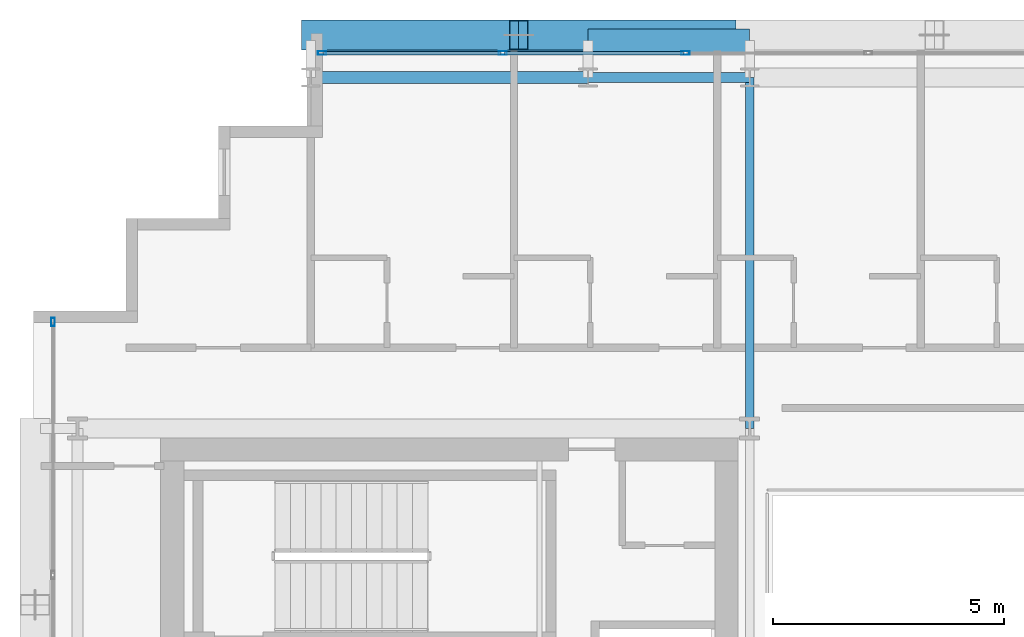
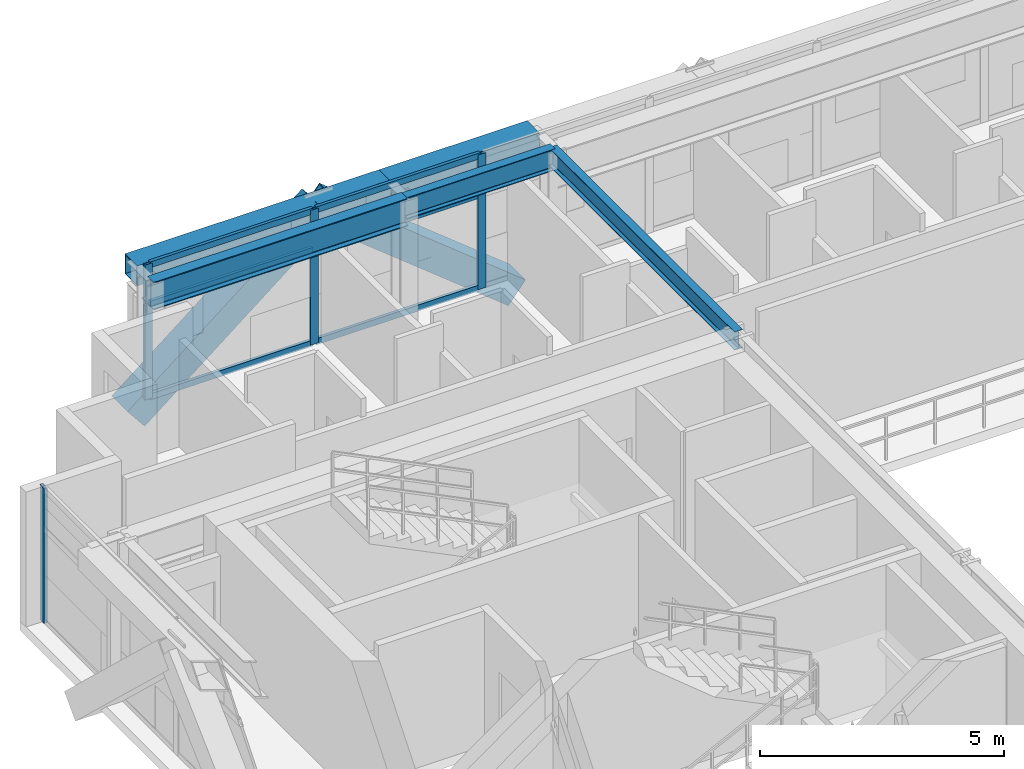
# One storey, part 16 of 32: 12 members, 5 beams, 2 elements without a shape of their own.
"""IFC4 building model written with IfcOpenShell, lengths in metres."""

from ifc_helpers import new_model, si_unit, direction, frame, origin, origin_2d, place, context, subcontext, project, spatial, hollow_rectangle, i_section, extrude, source, transform, mapped, material, layer, layer_set, material_profile, profile_set, type_object, element, aggregate, save


model = new_model("IFC4")

# Units and contexts
model_context = context("Model", 3, precision=1e-05, world=origin(), true_north=direction((0.0, 1.0)))
body_context = subcontext(model_context, "Body", "Model", "MODEL_VIEW")
ifc_project = project(units=[si_unit("LENGTHUNIT", "METRE"), si_unit("AREAUNIT", "SQUARE_METRE"), si_unit("VOLUMEUNIT", "CUBIC_METRE"), si_unit("PLANEANGLEUNIT", "RADIAN"), si_unit("MASSUNIT", "GRAM", prefix="KILO")], contexts=[model_context])

# Site, building, storey
site_placement = place(None, origin())
site = spatial("IfcSite", under=ifc_project, at=site_placement, CompositionType="ELEMENT")
building_placement = place(site_placement, origin())
building = spatial("IfcBuilding", under=site, at=building_placement, Name="Ocotamira Hotel", CompositionType="ELEMENT")
storey_placement = place(building_placement, frame((0.0, 0.0, 166.800048828125)))
storey = spatial("IfcBuildingStorey", under=building, at=storey_placement, Name="L41", CompositionType="ELEMENT", Elevation=166.800048828125)

# Beams
ifc_material_1 = material(Name="Steel ASTM A992 Grade 50", Category="steel")
ifc_material_profile_1 = material_profile(ifc_material_1, i_section(OverallWidth=0.256103515625, OverallDepth=0.693115234375, WebThickness=0.014404296875, FlangeThickness=0.023681640625, FilletRadius=0.01611328125, at=origin_2d()), Name="W27X114")
ifc_profile_set_1 = profile_set([ifc_material_profile_1], Name="Steel ASTM A992 Grade 50")
beam_type_1 = type_object("IfcBeamType", Name="BM-PRIM-W27X114", PredefinedType="BEAM", material=ifc_profile_set_1)
shared_shape_1 = source(origin(), body_context, "Body", "SweptSolid", [
    extrude(i_section(OverallWidth=0.256103515625, OverallDepth=0.693115234375, WebThickness=0.014404296875, FlangeThickness=0.023681640625, FilletRadius=0.01611328125, at=origin_2d()), origin(), (0.0, 0.0, 1.0), 6.0),
])
beam_1_placement = place(storey_placement, frame((14.0, 45.050048828125, 3.0234375), z_axis=(1.0, 0.0, 0.0), x_axis=(0.0, 1.0, 0.0)))
element("IfcBeam", 1, at=beam_1_placement, inside=storey, type_object=beam_type_1, Name="L41 Girder Y45.05 X14-20", PredefinedType="BEAM", context=body_context, shape_type="MappedRepresentation", body=[
    mapped(shared_shape_1, transform((0.0, 0.0, 0.0), scale=1.0)),
])
ifc_material_profile_2 = material_profile(ifc_material_1, i_section(OverallWidth=0.2099609375, OverallDepth=0.537109375, WebThickness=0.010986328125, FlangeThickness=0.017333984375, FilletRadius=0.012939453125, at=origin_2d()), Name="W21X68")
ifc_profile_set_2 = profile_set([ifc_material_profile_2], Name="Steel ASTM A992 Grade 50")
beam_type_2 = type_object("IfcBeamType", Name="BM-SEC-W21X68", PredefinedType="JOIST", material=ifc_profile_set_2)
shared_shape_2 = source(origin(), body_context, "Body", "SweptSolid", [
    extrude(i_section(OverallWidth=0.2099609375, OverallDepth=0.537109375, WebThickness=0.010986328125, FlangeThickness=0.017333984375, FilletRadius=0.012939453125, at=origin_2d()), origin(), (0.0, 0.0, 1.0), 3.5),
])
beam_2_placement = place(storey_placement, frame((20.0, 45.050048828125, 3.1015625), z_axis=(1.0, 0.0, 0.0), x_axis=(0.0, 1.0, 0.0)))
element("IfcBeam", 2, at=beam_2_placement, inside=storey, type_object=beam_type_2, Name="L41 Girder Y45.05 X20-23.5", PredefinedType="JOIST", context=body_context, shape_type="MappedRepresentation", body=[
    mapped(shared_shape_2, transform((0.0, 0.0, 0.0), scale=1.0)),
])
ifc_material_2 = material(Name="Steel ASTM A500 Grade C", Category="steel")
ifc_material_profile_3 = material_profile(ifc_material_2, hollow_rectangle(XDim=0.5, YDim=0.5, WallThickness=0.02001953125, at=origin_2d()), Name="HSS500X500X20")
ifc_profile_set_3 = profile_set([ifc_material_profile_3], Name="Steel ASTM A500 Grade C")
beam_type_3 = type_object("IfcBeamType", Name="BM-SPAN-HSS500", PredefinedType="USERDEFINED", material=ifc_profile_set_3)
shared_shape_3 = source(origin(), body_context, "Body", "SweptSolid", [
    extrude(hollow_rectangle(XDim=0.5, YDim=0.5, WallThickness=0.02001953125, at=origin_2d()), origin(), (0.0, 0.0, 1.0), 6.0),
])
beam_3_placement = place(storey_placement, frame((14.0, 45.85009765625, 3.119873046875), z_axis=(1.0, 0.0, 0.0), x_axis=(0.0, 1.0, 0.0)))
element("IfcBeam", 3, at=beam_3_placement, inside=storey, type_object=beam_type_3, Name="L41 Edge Spandrel N X14-20", ObjectType="SPANDREL", PredefinedType="USERDEFINED", context=body_context, shape_type="MappedRepresentation", body=[
    mapped(shared_shape_3, transform((0.0, 0.0, 0.0), scale=1.0)),
])
shared_shape_4 = source(origin(), body_context, "Body", "SweptSolid", [
    extrude(hollow_rectangle(XDim=0.5, YDim=0.5, WallThickness=0.02001953125, at=origin_2d()), origin(), (0.0, 0.0, 1.0), 3.5),
])
beam_4_placement = place(storey_placement, frame((20.0, 45.85009765625, 3.119873046875), z_axis=(1.0, 0.0, 0.0), x_axis=(0.0, 1.0, 0.0)))
element("IfcBeam", 4, at=beam_4_placement, inside=storey, type_object=beam_type_3, Name="L41 Edge Spandrel N X20-23.5", ObjectType="SPANDREL", PredefinedType="USERDEFINED", context=body_context, shape_type="MappedRepresentation", body=[
    mapped(shared_shape_4, transform((0.0, 0.0, 0.0), scale=1.0)),
])
ifc_material_profile_4 = material_profile(ifc_material_1, i_section(OverallWidth=0.18994140625, OverallDepth=0.45703125, WebThickness=0.009033203125, FlangeThickness=0.014404296875, FilletRadius=0.010009765625, at=origin_2d()), Name="W18X50")
ifc_profile_set_4 = profile_set([ifc_material_profile_4], Name="Steel ASTM A992 Grade 50")
beam_type_4 = type_object("IfcBeamType", Name="BM-SEC-W18X50", PredefinedType="JOIST", material=ifc_profile_set_4)
shared_shape_5 = source(origin(), body_context, "Body", "SweptSolid", [
    extrude(i_section(OverallWidth=0.18994140625, OverallDepth=0.45703125, WebThickness=0.009033203125, FlangeThickness=0.014404296875, FilletRadius=0.010009765625, at=origin_2d()), origin(), (0.0, 0.0, 1.0), 7.60009765625),
])
beam_5_placement = place(storey_placement, frame((23.5, 37.449951171875, 3.141357421875), z_axis=(0.0, 1.0, 0.0), x_axis=(-1.0, 0.0, 0.0)))
element("IfcBeam", 5, at=beam_5_placement, inside=storey, type_object=beam_type_4, Name="L41 Beam X23.5 Y37.45-45.05", PredefinedType="JOIST", context=body_context, shape_type="MappedRepresentation", body=[
    mapped(shared_shape_5, transform((0.0, 0.0, 0.0), scale=1.0)),
])

# Members
ifc_material_3 = material(Name="Pale-metal coated steel ASTM A913 Grade 65", Category="steel")
ifc_material_profile_5 = material_profile(ifc_material_3, hollow_rectangle(XDim=0.64990234375, YDim=0.64990234375, WallThickness=0.02197265625, at=origin_2d()), Name="BOX650X650X22")
ifc_profile_set_5 = profile_set([ifc_material_profile_5], Name="Pale-metal coated steel ASTM A913 Grade 65")
member_type_1 = type_object("IfcMemberType", Name="MEM-EXO-BOX650", PredefinedType="BRACE", material=ifc_profile_set_5)
shared_shape_6 = source(origin(), body_context, "Body", "SweptSolid", [
    extrude(hollow_rectangle(XDim=0.64990234375, YDim=0.64990234375, WallThickness=0.02197265625, at=origin_2d()), origin(), (0.0, 0.0, 1.0), 5.7626953125),
])
for number, where, z_axis, x_axis, name in (
    (6, (14.0, 45.969970703125, -0.47998046875), (0.780881208953, 0.0, 0.624679547852), (0.0, 1.0, 0.0), "L41 Exoskeleton Diagrid N0.1"),
    (7, (23.0, 45.969970703125, -0.47998046875), (-0.780881208953, 0.0, 0.624679547852), (0.0, -1.0, 0.0), "L41 Exoskeleton Diagrid N0.2"),
):
    element("IfcMember", number, at=place(storey_placement, frame(where, z_axis=z_axis, x_axis=x_axis)), inside=storey, type_object=member_type_1, Name=name, PredefinedType="BRACE", context=body_context, shape_type="MappedRepresentation", body=[
        mapped(shared_shape_6, transform((0.0, 0.0, 0.0), scale=1.0)),
    ])

# Curtain wall, members
ifc_material_4 = material(Name="Anodised pale-metal aluminium and solar glass", Category="aluminium")
ifc_layer = layer(ifc_material_4, 0.199951171875)
ifc_layer_set = layer_set([ifc_layer], Name="Anodised pale-metal aluminium and solar glass")
curtain_wall_type = type_object("IfcCurtainWallType", Name="CW-SYS4-Z3", PredefinedType="NOTDEFINED", material=ifc_layer_set)
curtain_wall_1_placement = place(storey_placement, origin())
curtain_wall_1 = element("IfcCurtainWall", 8, at=curtain_wall_1_placement, inside=storey, type_object=curtain_wall_type, Name="L41 Curtain Wall CW-4 CW-L41-N", PredefinedType="NOTDEFINED")
ifc_material_5 = material(Name="Anodised pale-metal aluminium 6063-T6", Category="aluminium")
ifc_material_profile_6 = material_profile(ifc_material_5, hollow_rectangle(XDim=0.074951171875, YDim=0.14990234375, WallThickness=0.006103515625, at=origin_2d()), Name="HSS150X75X6")
ifc_profile_set_6 = profile_set([ifc_material_profile_6], Name="Anodised pale-metal aluminium 6063-T6")
member_type_2 = type_object("IfcMemberType", Name="CWT-150X75", PredefinedType="USERDEFINED", material=ifc_profile_set_6)
shared_shape_7 = source(origin(), body_context, "Body", "SweptSolid", [
    extrude(hollow_rectangle(XDim=0.074951171875, YDim=0.14990234375, WallThickness=0.006103515625, at=origin_2d()), origin(), (0.0, 0.0, 1.0), 3.83544921875),
])
member_1_placement = place(storey_placement, frame((14.280029296875, 45.580078125, 0.037353515625), z_axis=(1.0, 0.0, 0.0), x_axis=(0.0, 1.0, 0.0)))
member_1 = element("IfcMember", 9, at=member_1_placement, type_object=member_type_2, Name="CW-4 transom 1.1", ObjectType="TRANSOM", PredefinedType="USERDEFINED", context=body_context, shape_type="MappedRepresentation", body=[
    mapped(shared_shape_7, transform((0.0, 0.0, 0.0), scale=1.0)),
])
member_2_placement = place(storey_placement, frame((14.280029296875, 45.580078125, 2.349853515625), z_axis=(1.0, 0.0, 0.0), x_axis=(0.0, 1.0, 0.0)))
member_2 = element("IfcMember", 10, at=member_2_placement, type_object=member_type_2, Name="CW-4 transom 1.2", ObjectType="TRANSOM", PredefinedType="USERDEFINED", context=body_context, shape_type="MappedRepresentation", body=[
    mapped(shared_shape_7, transform((0.0, 0.0, 0.0), scale=1.0)),
])
member_3_placement = place(storey_placement, frame((14.280029296875, 45.580078125, 3.33251953125), z_axis=(1.0, 0.0, 0.0), x_axis=(0.0, 1.0, 0.0)))
member_3 = element("IfcMember", 11, at=member_3_placement, type_object=member_type_2, Name="CW-4 transom 1.3", ObjectType="TRANSOM", PredefinedType="USERDEFINED", context=body_context, shape_type="MappedRepresentation", body=[
    mapped(shared_shape_7, transform((0.0, 0.0, 0.0), scale=1.0)),
])
shared_shape_8 = source(origin(), body_context, "Body", "SweptSolid", [
    extrude(hollow_rectangle(XDim=0.074951171875, YDim=0.14990234375, WallThickness=0.006103515625, at=origin_2d()), origin(), (0.0, 0.0, 1.0), 3.87548828125),
])
member_4_placement = place(storey_placement, frame((18.195556640625, 45.580078125, 0.037353515625), z_axis=(1.0, 0.0, 0.0), x_axis=(0.0, 1.0, 0.0)))
member_4 = element("IfcMember", 12, at=member_4_placement, type_object=member_type_2, Name="CW-4 transom 2.1", ObjectType="TRANSOM", PredefinedType="USERDEFINED", context=body_context, shape_type="MappedRepresentation", body=[
    mapped(shared_shape_8, transform((0.0, 0.0, 0.0), scale=1.0)),
])
member_5_placement = place(storey_placement, frame((18.195556640625, 45.580078125, 2.349853515625), z_axis=(1.0, 0.0, 0.0), x_axis=(0.0, 1.0, 0.0)))
member_5 = element("IfcMember", 13, at=member_5_placement, type_object=member_type_2, Name="CW-4 transom 2.2", ObjectType="TRANSOM", PredefinedType="USERDEFINED", context=body_context, shape_type="MappedRepresentation", body=[
    mapped(shared_shape_8, transform((0.0, 0.0, 0.0), scale=1.0)),
])
member_6_placement = place(storey_placement, frame((18.195556640625, 45.580078125, 3.33251953125), z_axis=(1.0, 0.0, 0.0), x_axis=(0.0, 1.0, 0.0)))
member_6 = element("IfcMember", 14, at=member_6_placement, type_object=member_type_2, Name="CW-4 transom 2.3", ObjectType="TRANSOM", PredefinedType="USERDEFINED", context=body_context, shape_type="MappedRepresentation", body=[
    mapped(shared_shape_8, transform((0.0, 0.0, 0.0), scale=1.0)),
])
ifc_material_profile_7 = material_profile(ifc_material_5, hollow_rectangle(XDim=0.080078125, YDim=0.179931640625, WallThickness=0.006103515625, at=origin_2d()), Name="HSS180X80X6")
ifc_profile_set_7 = profile_set([ifc_material_profile_7], Name="Anodised pale-metal aluminium 6063-T6")
member_type_3 = type_object("IfcMemberType", Name="CWM-180X75", PredefinedType="MULLION", material=ifc_profile_set_7)
shared_shape_9 = source(origin(), body_context, "Body", "SweptSolid", [
    extrude(hollow_rectangle(XDim=0.080078125, YDim=0.179931640625, WallThickness=0.006103515625, at=origin_2d()), origin(), (0.0, 0.0, 1.0), 3.369873046875),
])
member_7_placement = place(storey_placement, frame((14.239990234375, 45.580078125, 0.0), z_axis=(0.0, 0.0, 1.0), x_axis=(0.0, 1.0, 0.0)))
member_7 = element("IfcMember", 15, at=member_7_placement, type_object=member_type_3, Name="CW-4 mullion 1", PredefinedType="MULLION", context=body_context, shape_type="MappedRepresentation", body=[
    mapped(shared_shape_9, transform((0.0, 0.0, 0.0), scale=1.0)),
])
member_8_placement = place(storey_placement, frame((18.155517578125, 45.580078125, 0.0), z_axis=(0.0, 0.0, 1.0), x_axis=(0.0, 1.0, 0.0)))
member_8 = element("IfcMember", 16, at=member_8_placement, type_object=member_type_3, Name="CW-4 mullion 2", PredefinedType="MULLION", context=body_context, shape_type="MappedRepresentation", body=[
    mapped(shared_shape_9, transform((0.0, 0.0, 0.0), scale=1.0)),
])
member_9_placement = place(storey_placement, frame((22.111083984375, 45.580078125, 0.0), z_axis=(0.0, 0.0, 1.0), x_axis=(0.0, 1.0, 0.0)))
member_9 = element("IfcMember", 17, at=member_9_placement, type_object=member_type_3, Name="CW-4 mullion 3", PredefinedType="MULLION", context=body_context, shape_type="MappedRepresentation", body=[
    mapped(shared_shape_9, transform((0.0, 0.0, 0.0), scale=1.0)),
])
aggregate(curtain_wall_1, [member_7, member_8, member_9, member_1, member_2, member_3, member_4, member_5, member_6])

# Curtain wall, member
curtain_wall_2_placement = place(storey_placement, origin())
curtain_wall_2 = element("IfcCurtainWall", 18, at=curtain_wall_2_placement, inside=storey, type_object=curtain_wall_type, Name="L41 Curtain Wall CW-4 CW-L41-W", PredefinedType="NOTDEFINED")
member_10_placement = place(storey_placement, frame((8.419921875, 39.760009765625, 0.0), z_axis=(0.0, 0.0, 1.0), x_axis=(-1.0, 0.0, 0.0)))
member_10 = element("IfcMember", 19, at=member_10_placement, type_object=member_type_3, Name="CW-4 mullion 6", PredefinedType="MULLION", context=body_context, shape_type="MappedRepresentation", body=[
    mapped(shared_shape_9, transform((0.0, 0.0, 0.0), scale=1.0)),
])
aggregate(curtain_wall_2, [member_10])

save(model, "model.ifc")
